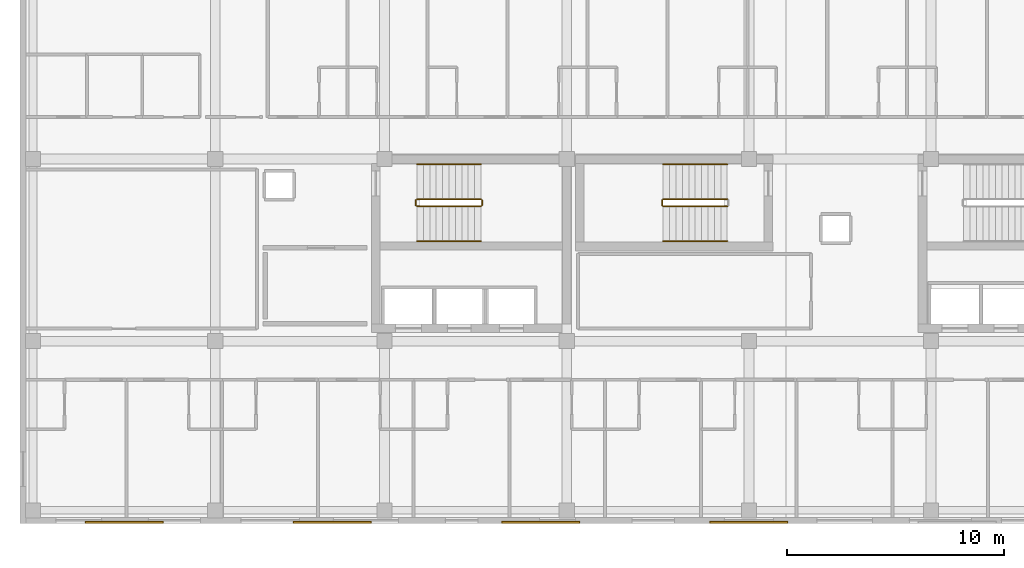
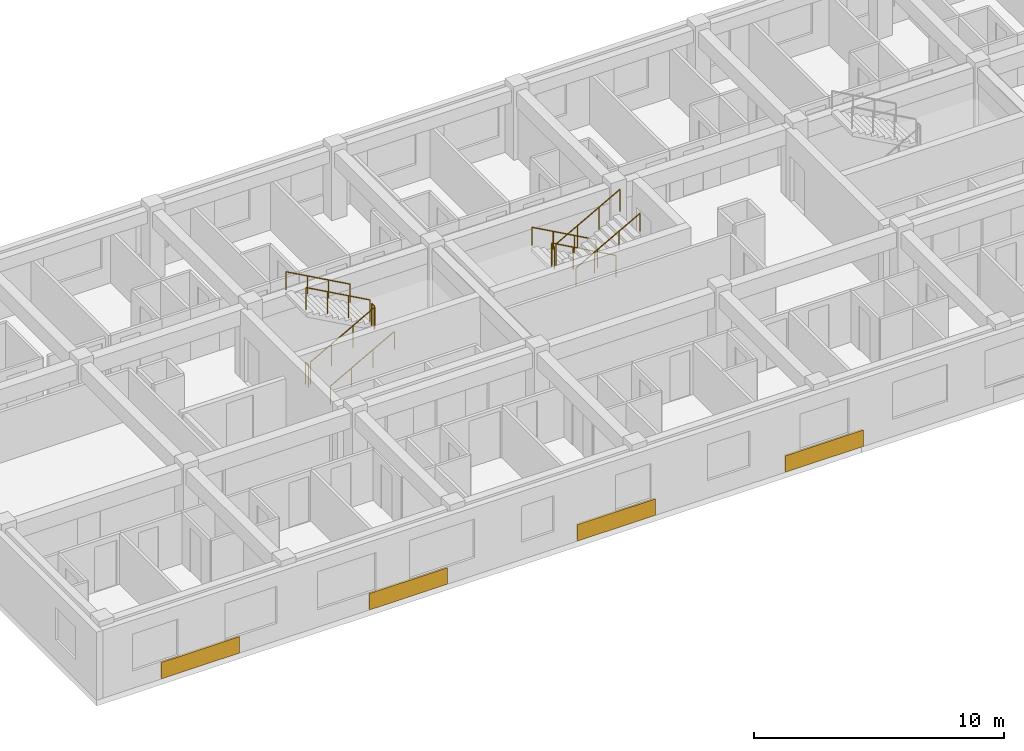
# One storey, part 11 of 13: 11 railings, 4 coverings.
"""IFC4 building model written with IfcOpenShell, lengths in metres."""

import ifcopenshell
import ifcopenshell.guid

model = None  # the IFC model being written
_history = None  # IfcOwnerHistory: only IFC2X3 demands one
_inside = {}  # id of a spatial element -> (the spatial element, [elements in it])
_under = {}  # id of a project, library or spatial element -> (it, [spatial elements below it])
_declared = {}  # id of a project -> (the project, [libraries it declares])
_typed = {}  # id of a type object -> (the type object, [elements of that type])
_made_of = {}  # id of a material, layer set ... -> (it, [elements and type objects made of it])


def new_model(schema):
    """Start an empty IFC model of exactly this schema.

    Asked for "IFC4X3", IfcOpenShell would pick the latest addendum, in which some entities
    have other attributes; the version numbers below select the first issue.
    IFC2X3 requires an IfcOwnerHistory on every rooted entity: one is made here for all.
    """
    global model, _history
    if schema == "IFC4X3":
        model = ifcopenshell.file(schema_version=(4, 3, 0, 0))
    else:
        model = ifcopenshell.file(schema=schema)
    _inside.clear()
    _under.clear()
    _declared.clear()
    _typed.clear()
    _made_of.clear()
    _history = None
    if model.schema == "IFC2X3":
        org = make("IfcOrganization", Name="unknown")
        user = make(
            "IfcPersonAndOrganization",
            ThePerson=make("IfcPerson", FamilyName="unknown"),
            TheOrganization=org,
        )
        app = make(
            "IfcApplication",
            ApplicationDeveloper=org,
            Version="unknown",
            ApplicationFullName="unknown",
            ApplicationIdentifier="unknown",
        )
        _history = make(
            "IfcOwnerHistory",
            OwningUser=user,
            OwningApplication=app,
            ChangeAction="ADDED",
            CreationDate=0,
        )
    return model


def make(cls, **values):
    """One entity of the class cls with the attributes given. An attribute that is None is left unset."""
    return model.create_entity(
        cls, **{name: value for name, value in values.items() if value is not None}
    )


def rooted(cls, **values):
    """An entity with a GlobalId (a new one), such as an element, a storey or a relation."""
    return make(cls, GlobalId=ifcopenshell.guid.new(), OwnerHistory=_history, **values)


def si_unit(unit_type, name, prefix=None):
    """IfcSIUnit, for example si_unit("LENGTHUNIT", "METRE", prefix="MILLI")."""
    return make("IfcSIUnit", UnitType=unit_type, Prefix=prefix, Name=name)


def assignment(units):
    """IfcUnitAssignment: the units of a project."""
    return None if units is None else make("IfcUnitAssignment", Units=units)


def point(xyz):
    """IfcCartesianPoint."""
    return None if xyz is None else make("IfcCartesianPoint", Coordinates=xyz)


def direction(xyz):
    """IfcDirection."""
    return None if xyz is None else make("IfcDirection", DirectionRatios=xyz)


def frame(location, z_axis=None, x_axis=None):
    """IfcAxis2Placement3D, a coordinate frame: its origin and axes. An axis left out is left unset."""
    return make(
        "IfcAxis2Placement3D",
        Location=point(location),
        Axis=direction(z_axis),
        RefDirection=direction(x_axis),
    )


def frame_2d(location, x_axis=None):
    """IfcAxis2Placement2D, a coordinate frame in the plane: its origin and x axis."""
    return make(
        "IfcAxis2Placement2D", Location=point(location), RefDirection=direction(x_axis)
    )


def origin():
    """The frame at (0, 0, 0) with its axes left unset."""
    return frame((0.0, 0.0, 0.0))


def origin_2d():
    """The frame at (0, 0) in the plane with its x axis left unset."""
    return frame_2d((0.0, 0.0))


def place(relative_to, where):
    """IfcLocalPlacement: puts the frame where relative to a parent placement (None: the world)."""
    return make(
        "IfcLocalPlacement", PlacementRelTo=relative_to, RelativePlacement=where
    )


def context(
    kind, dimensions, precision=None, world=None, true_north=None, identifier=None
):
    """IfcGeometricRepresentationContext, for example the 3D "Model" context."""
    return make(
        "IfcGeometricRepresentationContext",
        ContextIdentifier=identifier,
        ContextType=kind,
        CoordinateSpaceDimension=dimensions,
        Precision=precision,
        WorldCoordinateSystem=world,
        TrueNorth=true_north,
    )


def subcontext(parent, identifier, kind, view, scale=None):
    """IfcGeometricRepresentationSubContext, for example "Body" below "Model"."""
    return make(
        "IfcGeometricRepresentationSubContext",
        ContextIdentifier=identifier,
        ContextType=kind,
        ParentContext=parent,
        TargetScale=scale,
        TargetView=view,
    )


def project(units=None, contexts=None):
    """IfcProject with its units and contexts."""
    return rooted(
        "IfcProject",
        Name="project",
        RepresentationContexts=contexts,
        UnitsInContext=assignment(units),
    )


def spatial(cls, under=None, at=None, **own):
    """A site, building, storey or space (cls), placed at a placement, below another one or the project."""
    s = rooted(cls, ObjectPlacement=at, **own)
    if under is not None:
        _under.setdefault(under.id(), (under, []))[1].append(s)
    return s


def profile(cls, at=None, kind="AREA", **sizes):
    """A parametric profile (cls). Its sizes go by their IFC names, for example OverallWidth=200.0."""
    return make(cls, ProfileType=kind, Position=at, **sizes)


def rectangle(**sizes):
    """IfcRectangleProfileDef."""
    return profile("IfcRectangleProfileDef", **sizes)


def circle(**sizes):
    """IfcCircleProfileDef."""
    return profile("IfcCircleProfileDef", **sizes)


def extrude(swept, where, along, depth):
    """IfcExtrudedAreaSolid: the profile swept, set in the frame where, extruded along a direction by depth."""
    return make(
        "IfcExtrudedAreaSolid",
        SweptArea=swept,
        Position=where,
        ExtrudedDirection=direction(along),
        Depth=depth,
    )


def shape(context_of_items, identifier, shape_type, items):
    """IfcShapeRepresentation: the items that make up one representation, for example the "Body"."""
    return make(
        "IfcShapeRepresentation",
        ContextOfItems=context_of_items,
        RepresentationIdentifier=identifier,
        RepresentationType=shape_type,
        Items=items,
    )


def material(Name=None, Category=None):
    """IfcMaterial."""
    return make("IfcMaterial", Name=Name, Category=Category)


def layer(
    of_material, thickness, ventilated=None, Name=None, Category=None, Priority=None
):
    """IfcMaterialLayer: one layer of a wall or slab, of a material (None: an air gap)."""
    return make(
        "IfcMaterialLayer",
        Material=of_material,
        LayerThickness=thickness,
        IsVentilated=ventilated,
        Name=Name,
        Category=Category,
        Priority=Priority,
    )


def layer_set(layers, Name=None):
    """IfcMaterialLayerSet."""
    return make("IfcMaterialLayerSet", MaterialLayers=layers, LayerSetName=Name)


def made_of(thing, what):
    """Note that an element or type object is made of a material, layer set ...; save() writes the relation."""
    if what is not None:
        _made_of.setdefault(what.id(), (what, []))[1].append(thing)
    return thing


def type_object(cls, material=None, **own):
    """A type object (cls), such as IfcWallType, which elements share."""
    return made_of(rooted(cls, **own), material)


def element(
    cls,
    number,
    at=None,
    inside=None,
    cuts=None,
    type_object=None,
    material=None,
    context=None,
    identifier="Body",
    shape_type=None,
    held_by="IfcProductDefinitionShape",
    body=None,
    shapes=None,
    **own,
):
    """One element of the class cls, such as IfcWall. Its Tag is "e" and its number.

    at: its placement. inside: the storey or other place that contains it. cuts: it is an
    opening in that element (IfcRelVoidsElement). A single representation is given by context,
    identifier, shape_type and body (its items); several are given by shapes. held_by: the class
    of the entity that holds the representations. save() writes the other relations.
    """
    e = rooted(cls, Tag="e%d" % number, ObjectPlacement=at, **own)
    if body is not None:
        shapes = [shape(context, identifier, shape_type, body)]
    if shapes is not None:
        e.Representation = make(held_by, Representations=shapes)
    if inside is not None:
        _inside.setdefault(inside.id(), (inside, []))[1].append(e)
    if cuts is not None:
        rooted(
            "IfcRelVoidsElement", RelatingBuildingElement=cuts, RelatedOpeningElement=e
        )
    if type_object is not None:
        _typed.setdefault(type_object.id(), (type_object, []))[1].append(e)
    return made_of(e, material)


def aggregate(whole, parts):
    """IfcRelAggregates: a whole, such as a stair, and the parts it consists of."""
    return rooted("IfcRelAggregates", RelatingObject=whole, RelatedObjects=parts)


def save(model, path):
    """Write the relations noted so far, then the file.

    IfcRelAggregates (storeys below a building ...), IfcRelContainedInSpatialStructure (elements
    in a storey), IfcRelDefinesByType, IfcRelAssociatesMaterial and IfcRelDeclares: one each for
    every whole, place, type object, material and project.
    """
    for whole, parts in _under.values():
        aggregate(whole, parts)
    for where, things in _inside.values():
        rooted(
            "IfcRelContainedInSpatialStructure",
            RelatedElements=things,
            RelatingStructure=where,
        )
    for kind, things in _typed.values():
        rooted("IfcRelDefinesByType", RelatedObjects=things, RelatingType=kind)
    for what, things in _made_of.values():
        rooted("IfcRelAssociatesMaterial", RelatedObjects=things, RelatingMaterial=what)
    for by, libraries in _declared.values():
        rooted("IfcRelDeclares", RelatingContext=by, RelatedDefinitions=libraries)
    model.write(path)


model = new_model("IFC4")

# Units and contexts
model_context = context("Model", 3, precision=1e-05, world=origin(), true_north=direction((0.0, 1.0)))
body_context = subcontext(model_context, "Body", "Model", "MODEL_VIEW")
ifc_project = project(units=[si_unit("LENGTHUNIT", "METRE"), si_unit("AREAUNIT", "SQUARE_METRE"), si_unit("VOLUMEUNIT", "CUBIC_METRE"), si_unit("PLANEANGLEUNIT", "RADIAN"), si_unit("MASSUNIT", "GRAM", prefix="KILO")], contexts=[model_context])

# Site, building, storey
site_placement = place(None, origin())
site = spatial("IfcSite", under=ifc_project, at=site_placement, CompositionType="ELEMENT")
building_placement = place(site_placement, origin())
building = spatial("IfcBuilding", under=site, at=building_placement, Name="Zayran Congress Hotel", CompositionType="ELEMENT")
storey_placement = place(building_placement, frame((0.0, 0.0, 22.800048828125)))
storey = spatial("IfcBuildingStorey", under=building, at=storey_placement, Name="L05", CompositionType="ELEMENT", Elevation=22.800048828125)

# Coverings
ifc_material_1 = material(Name="Ochre geometric bas-relief Hajar Ma'ani stone", Category="masonry")
ifc_layer = layer(ifc_material_1, 0.090087890625)
ifc_layer_set = layer_set([ifc_layer], Name="Ochre geometric bas-relief Hajar Ma'ani stone")
covering_type = type_object("IfcCoveringType", Name="TP-CLD-01", PredefinedType="CLADDING", material=ifc_layer_set)
for number, where, z_axis, x_axis, name in (
    (1, (13.199951171875, 8.844970703125, 0.0), (0.0, 0.0, 1.0), (1.0, 0.0, 0.0), "CLD-V5S-L05-0"),
    (2, (22.800048828125, 8.844970703125, 0.0), (0.0, 0.0, 1.0), (1.0, 0.0, 0.0), "CLD-V5S-L05-1"),
    (3, (32.39990234375, 8.844970703125, 0.0), (0.0, 0.0, 1.0), (1.0, 0.0, 0.0), "CLD-V5S-L05-2"),
    (4, (42.0, 8.844970703125, 0.0), (0.0, 0.0, 1.0), (1.0, 0.0, 0.0), "CLD-V5S-L05-3"),
):
    element("IfcCovering", number, at=place(storey_placement, frame(where, z_axis=z_axis, x_axis=x_axis)), inside=storey, type_object=covering_type, Name=name, PredefinedType="CLADDING", context=body_context, shape_type="SweptSolid", body=[
        extrude(rectangle(XDim=3.60009765625, YDim=0.090087890625, at=origin_2d()), origin(), (0.0, 0.0, 1.0), 0.800048828125),
    ])

# Railings
ifc_material_2 = material(Name="Painted steel balustrade", Category="steel")
railing_type_1 = type_object("IfcRailingType", Name="TP-GRD-INT", PredefinedType="GUARDRAIL", material=ifc_material_2)
railing_1_placement = place(storey_placement, frame((26.699951171875, 23.409912109375, 0.16357421875)))
element("IfcRailing", 5, at=railing_1_placement, inside=storey, type_object=railing_type_1, Name="L05 ST-01 stair guard 1", PredefinedType="GUARDRAIL", context=body_context, shape_type="SweptSolid", body=[
    extrude(circle(Radius=0.02392578125, at=origin_2d()), frame((0.0, 0.0, 1.076171875), z_axis=(0.874457516365, 0.0, 0.485102104791), x_axis=(0.0, 1.0, 0.0)), (0.0, 0.0, 1.0), 3.37353515625),
    extrude(circle(Radius=0.02099609375, at=origin_2d()), origin(), (0.0, 0.0, 1.0), 1.052001953125),
    extrude(circle(Radius=0.02099609375, at=origin_2d()), frame((0.9833984375, 0.0, 0.54541015625)), (0.0, 0.0, 1.0), 1.052001953125),
    extrude(circle(Radius=0.02099609375, at=origin_2d()), frame((1.966552734375, 0.0, 1.091064453125)), (0.0, 0.0, 1.0), 1.052001953125),
    extrude(circle(Radius=0.02099609375, at=origin_2d()), frame((2.949951171875, 0.0, 1.636474609375)), (0.0, 0.0, 1.0), 1.052001953125),
])
railing_2_placement = place(storey_placement, frame((29.699951171875, 23.4599609375, 1.800048828125)))
element("IfcRailing", 6, at=railing_2_placement, inside=storey, type_object=railing_type_1, Name="L05 ST-01 stair guard 2", PredefinedType="GUARDRAIL", context=body_context, shape_type="SweptSolid", body=[
    extrude(circle(Radius=0.02392578125, at=origin_2d()), frame((0.0, 0.0, 1.076171875), z_axis=(0.0, 1.0, 0.0), x_axis=(-1.0, 0.0, 0.0)), (0.0, 0.0, 1.0), 0.239990234375),
    extrude(circle(Radius=0.02099609375, at=origin_2d()), origin(), (0.0, 0.0, 1.0), 1.052001953125),
    extrude(circle(Radius=0.02099609375, at=origin_2d()), frame((0.0, 0.239990234375, 0.0)), (0.0, 0.0, 1.0), 1.052001953125),
])
railing_3_placement = place(storey_placement, frame((29.64990234375, 23.75, 1.963623046875)))
element("IfcRailing", 7, at=railing_3_placement, inside=storey, type_object=railing_type_1, Name="L05 ST-01 stair guard 3", PredefinedType="GUARDRAIL", context=body_context, shape_type="SweptSolid", body=[
    extrude(circle(Radius=0.02392578125, at=origin_2d()), frame((0.0, 0.0, 1.076171875), z_axis=(-0.87448821551, 0.0, 0.485046761595), x_axis=(0.0, -1.0, 0.0)), (0.0, 0.0, 1.0), 3.373291015625),
    extrude(circle(Radius=0.02099609375, at=origin_2d()), origin(), (0.0, 0.0, 1.0), 1.052001953125),
    extrude(circle(Radius=0.02099609375, at=origin_2d()), frame((-0.9833984375, 0.0, 0.54541015625)), (0.0, 0.0, 1.0), 1.052001953125),
    extrude(circle(Radius=0.02099609375, at=origin_2d()), frame((-1.966552734375, 0.0, 1.0908203125)), (0.0, 0.0, 1.0), 1.052001953125),
    extrude(circle(Radius=0.02099609375, at=origin_2d()), frame((-2.949951171875, 0.0, 1.63623046875)), (0.0, 0.0, 1.0), 1.052001953125),
])
railing_4_placement = place(storey_placement, frame((26.64990234375, 23.4599609375, 0.0)))
element("IfcRailing", 8, at=railing_4_placement, inside=storey, type_object=railing_type_1, Name="L05 ST-01 stair guard 4", PredefinedType="GUARDRAIL", context=body_context, shape_type="SweptSolid", body=[
    extrude(circle(Radius=0.02392578125, at=origin_2d()), frame((0.0, 0.0, 1.076171875), z_axis=(0.0, 1.0, 0.0), x_axis=(-1.0, 0.0, 0.0)), (0.0, 0.0, 1.0), 0.239990234375),
    extrude(circle(Radius=0.02099609375, at=origin_2d()), origin(), (0.0, 0.0, 1.0), 1.052001953125),
    extrude(circle(Radius=0.02099609375, at=origin_2d()), frame((0.0, 0.239990234375, 0.0)), (0.0, 0.0, 1.0), 1.052001953125),
])
railing_5_placement = place(storey_placement, frame((41.0, 23.75, 0.16357421875)))
element("IfcRailing", 9, at=railing_5_placement, inside=storey, type_object=railing_type_1, Name="L05 ST-13 stair guard 1", PredefinedType="GUARDRAIL", context=body_context, shape_type="SweptSolid", body=[
    extrude(circle(Radius=0.02392578125, at=origin_2d()), frame((0.0, 0.0, 1.076171875), z_axis=(-0.874457516365, 0.0, 0.485102104791), x_axis=(0.0, -1.0, 0.0)), (0.0, 0.0, 1.0), 3.37353515625),
    extrude(circle(Radius=0.02099609375, at=origin_2d()), origin(), (0.0, 0.0, 1.0), 1.052001953125),
    extrude(circle(Radius=0.02099609375, at=origin_2d()), frame((-0.9833984375, 0.0, 0.54541015625)), (0.0, 0.0, 1.0), 1.052001953125),
    extrude(circle(Radius=0.02099609375, at=origin_2d()), frame((-1.966552734375, 0.0, 1.091064453125)), (0.0, 0.0, 1.0), 1.052001953125),
    extrude(circle(Radius=0.02099609375, at=origin_2d()), frame((-2.949951171875, 0.0, 1.636474609375)), (0.0, 0.0, 1.0), 1.052001953125),
])
railing_6_placement = place(storey_placement, frame((38.0, 23.699951171875, 1.800048828125)))
element("IfcRailing", 10, at=railing_6_placement, inside=storey, type_object=railing_type_1, Name="L05 ST-13 stair guard 2", PredefinedType="GUARDRAIL", context=body_context, shape_type="SweptSolid", body=[
    extrude(circle(Radius=0.02392578125, at=origin_2d()), frame((0.0, 0.0, 1.076171875), z_axis=(0.0, -1.0, 0.0), x_axis=(1.0, 0.0, 0.0)), (0.0, 0.0, 1.0), 0.239990234375),
    extrude(circle(Radius=0.02099609375, at=origin_2d()), origin(), (0.0, 0.0, 1.0), 1.052001953125),
    extrude(circle(Radius=0.02099609375, at=origin_2d()), frame((0.0, -0.239990234375, 0.0)), (0.0, 0.0, 1.0), 1.052001953125),
])
railing_7_placement = place(storey_placement, frame((38.050048828125, 23.409912109375, 1.963623046875)))
element("IfcRailing", 11, at=railing_7_placement, inside=storey, type_object=railing_type_1, Name="L05 ST-13 stair guard 3", PredefinedType="GUARDRAIL", context=body_context, shape_type="SweptSolid", body=[
    extrude(circle(Radius=0.02392578125, at=origin_2d()), frame((0.0, 0.0, 1.076171875), z_axis=(0.87448821551, 0.0, 0.485046761595), x_axis=(0.0, 1.0, 0.0)), (0.0, 0.0, 1.0), 3.373291015625),
    extrude(circle(Radius=0.02099609375, at=origin_2d()), origin(), (0.0, 0.0, 1.0), 1.052001953125),
    extrude(circle(Radius=0.02099609375, at=origin_2d()), frame((0.9833984375, 0.0, 0.54541015625)), (0.0, 0.0, 1.0), 1.052001953125),
    extrude(circle(Radius=0.02099609375, at=origin_2d()), frame((1.966552734375, 0.0, 1.0908203125)), (0.0, 0.0, 1.0), 1.052001953125),
    extrude(circle(Radius=0.02099609375, at=origin_2d()), frame((2.949951171875, 0.0, 1.63623046875)), (0.0, 0.0, 1.0), 1.052001953125),
])
ifc_material_3 = material(Name="Brushed stainless steel handrail", Category="steel")
railing_type_2 = type_object("IfcRailingType", Name="TP-HND-STR", PredefinedType="HANDRAIL", material=ifc_material_3)
railing_8_placement = place(storey_placement, frame((26.699951171875, 21.81005859375, 0.16357421875)))
element("IfcRailing", 12, at=railing_8_placement, inside=storey, type_object=railing_type_2, Name="L05 ST-01 stair handrail 1", PredefinedType="HANDRAIL", context=body_context, shape_type="SweptSolid", body=[
    extrude(circle(Radius=0.02392578125, at=origin_2d()), frame((0.0, 0.0, 0.8759765625), z_axis=(0.874457516365, 0.0, 0.485102104791), x_axis=(0.0, 1.0, 0.0)), (0.0, 0.0, 1.0), 3.37353515625),
    extrude(circle(Radius=0.02099609375, at=origin_2d()), origin(), (0.0, 0.0, 1.0), 0.851806640625),
    extrude(circle(Radius=0.02099609375, at=origin_2d()), frame((0.9833984375, 0.0, 0.54541015625)), (0.0, 0.0, 1.0), 0.851806640625),
    extrude(circle(Radius=0.02099609375, at=origin_2d()), frame((1.966552734375, 0.0, 1.091064453125)), (0.0, 0.0, 1.0), 0.851806640625),
    extrude(circle(Radius=0.02099609375, at=origin_2d()), frame((2.949951171875, 0.0, 1.636474609375)), (0.0, 0.0, 1.0), 0.851806640625),
])
railing_9_placement = place(storey_placement, frame((29.64990234375, 25.35009765625, 1.963623046875)))
element("IfcRailing", 13, at=railing_9_placement, inside=storey, type_object=railing_type_2, Name="L05 ST-01 stair handrail 2", PredefinedType="HANDRAIL", context=body_context, shape_type="SweptSolid", body=[
    extrude(circle(Radius=0.02392578125, at=origin_2d()), frame((0.0, 0.0, 0.8759765625), z_axis=(-0.87448821551, 0.0, 0.485046761595), x_axis=(0.0, -1.0, 0.0)), (0.0, 0.0, 1.0), 3.373291015625),
    extrude(circle(Radius=0.02099609375, at=origin_2d()), origin(), (0.0, 0.0, 1.0), 0.851806640625),
    extrude(circle(Radius=0.02099609375, at=origin_2d()), frame((-0.9833984375, 0.0, 0.54541015625)), (0.0, 0.0, 1.0), 0.851806640625),
    extrude(circle(Radius=0.02099609375, at=origin_2d()), frame((-1.966552734375, 0.0, 1.0908203125)), (0.0, 0.0, 1.0), 0.851806640625),
    extrude(circle(Radius=0.02099609375, at=origin_2d()), frame((-2.949951171875, 0.0, 1.63623046875)), (0.0, 0.0, 1.0), 0.851806640625),
])
railing_10_placement = place(storey_placement, frame((41.0, 25.35009765625, 0.16357421875)))
element("IfcRailing", 14, at=railing_10_placement, inside=storey, type_object=railing_type_2, Name="L05 ST-13 stair handrail 1", PredefinedType="HANDRAIL", context=body_context, shape_type="SweptSolid", body=[
    extrude(circle(Radius=0.02392578125, at=origin_2d()), frame((0.0, 0.0, 0.8759765625), z_axis=(-0.874457516365, 0.0, 0.485102104791), x_axis=(0.0, -1.0, 0.0)), (0.0, 0.0, 1.0), 3.37353515625),
    extrude(circle(Radius=0.02099609375, at=origin_2d()), origin(), (0.0, 0.0, 1.0), 0.851806640625),
    extrude(circle(Radius=0.02099609375, at=origin_2d()), frame((-0.9833984375, 0.0, 0.54541015625)), (0.0, 0.0, 1.0), 0.851806640625),
    extrude(circle(Radius=0.02099609375, at=origin_2d()), frame((-1.966552734375, 0.0, 1.091064453125)), (0.0, 0.0, 1.0), 0.851806640625),
    extrude(circle(Radius=0.02099609375, at=origin_2d()), frame((-2.949951171875, 0.0, 1.636474609375)), (0.0, 0.0, 1.0), 0.851806640625),
])
railing_11_placement = place(storey_placement, frame((38.050048828125, 21.81005859375, 1.963623046875)))
element("IfcRailing", 15, at=railing_11_placement, inside=storey, type_object=railing_type_2, Name="L05 ST-13 stair handrail 2", PredefinedType="HANDRAIL", context=body_context, shape_type="SweptSolid", body=[
    extrude(circle(Radius=0.02392578125, at=origin_2d()), frame((0.0, 0.0, 0.8759765625), z_axis=(0.87448821551, 0.0, 0.485046761595), x_axis=(0.0, 1.0, 0.0)), (0.0, 0.0, 1.0), 3.373291015625),
    extrude(circle(Radius=0.02099609375, at=origin_2d()), origin(), (0.0, 0.0, 1.0), 0.851806640625),
    extrude(circle(Radius=0.02099609375, at=origin_2d()), frame((0.9833984375, 0.0, 0.54541015625)), (0.0, 0.0, 1.0), 0.851806640625),
    extrude(circle(Radius=0.02099609375, at=origin_2d()), frame((1.966552734375, 0.0, 1.0908203125)), (0.0, 0.0, 1.0), 0.851806640625),
    extrude(circle(Radius=0.02099609375, at=origin_2d()), frame((2.949951171875, 0.0, 1.63623046875)), (0.0, 0.0, 1.0), 0.851806640625),
])

save(model, "model.ifc")
